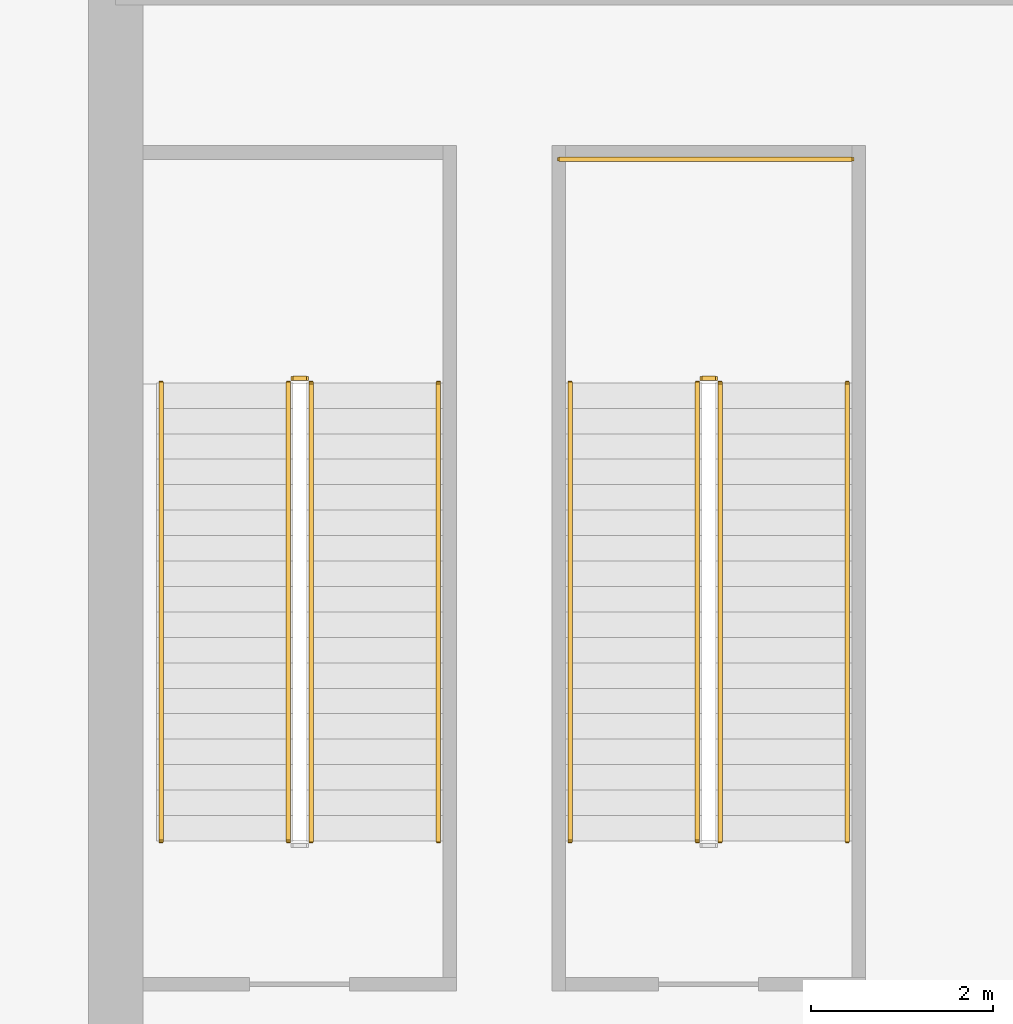
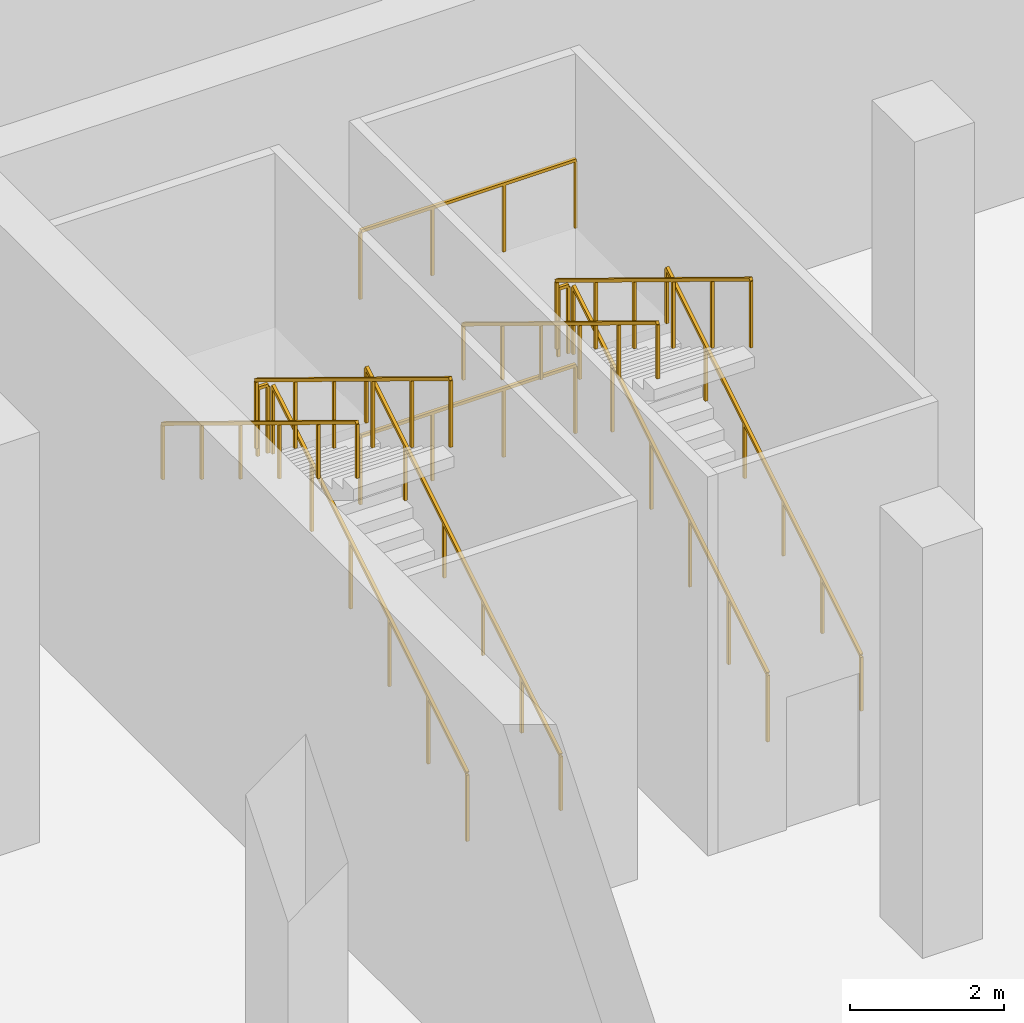
# One storey, part 15 of 16: 12 railings.
"""IFC4 building model written with IfcOpenShell, lengths in metres."""

from ifc_helpers import new_model, si_unit, direction, frame, origin, origin_with_axes, origin_2d, place, context, subcontext, project, spatial, rectangle, extrude, material, type_object, element, save


model = new_model("IFC4")

# Units and contexts
model_context = context("Model", 3, precision=1e-05, world=origin(), true_north=direction((0.0, 1.0)))
body_context = subcontext(model_context, "Body", "Model", "MODEL_VIEW")
ifc_project = project(units=[si_unit("LENGTHUNIT", "METRE"), si_unit("AREAUNIT", "SQUARE_METRE"), si_unit("VOLUMEUNIT", "CUBIC_METRE"), si_unit("PLANEANGLEUNIT", "RADIAN"), si_unit("MASSUNIT", "GRAM", prefix="KILO")], contexts=[model_context])

# Site, building, storey
site_placement = place(None, origin())
site = spatial("IfcSite", under=ifc_project, at=site_placement, CompositionType="ELEMENT")
building_placement = place(site_placement, origin())
building = spatial("IfcBuilding", under=site, at=building_placement, Name="Alderwake Tower", CompositionType="ELEMENT")
storey_placement = place(building_placement, frame((0.0, 0.0, -6.5)))
storey = spatial("IfcBuildingStorey", under=building, at=storey_placement, Name="B1", CompositionType="ELEMENT", Elevation=-6.5)

# Railings
ifc_material_1 = material(Name="Stainless steel guard", Category="steel")
railing_type_1 = type_object("IfcRailingType", Name="Stair guard 1100", PredefinedType="GUARDRAIL", material=ifc_material_1)
railing_1_placement = place(storey_placement, frame((69.14990234375, 100.5, 0.171142578125)))
element("IfcRailing", 1, at=railing_1_placement, inside=storey, type_object=railing_type_1, Name="B1 ST-S3 stair guard 1", PredefinedType="GUARDRAIL", context=body_context, shape_type="SweptSolid", body=[
    extrude(rectangle(XDim=0.048095703125, YDim=0.048095703125, at=origin_2d()), frame((0.0, 0.0, 1.076171875), z_axis=(0.0, 0.853369698388, 0.521306203564), x_axis=(-1.0, 0.0, 0.0)), (0.0, 0.0, 1.0), 5.906005859375),
    extrude(rectangle(XDim=0.0419921875, YDim=0.0419921875, at=origin_2d()), frame((0.0, 0.0, 0.0), z_axis=(0.0, 0.0, 1.0), x_axis=(0.0, 1.0, 0.0)), (0.0, 0.0, 1.0), 1.052001953125),
    extrude(rectangle(XDim=0.0419921875, YDim=0.0419921875, at=origin_2d()), frame((0.0, 1.008056640625, 0.61572265625), z_axis=(0.0, 0.0, 1.0), x_axis=(0.0, 1.0, 0.0)), (0.0, 0.0, 1.0), 1.052001953125),
    extrude(rectangle(XDim=0.0419921875, YDim=0.0419921875, at=origin_2d()), frame((0.0, 2.01611328125, 1.2314453125), z_axis=(0.0, 0.0, 1.0), x_axis=(0.0, 1.0, 0.0)), (0.0, 0.0, 1.0), 1.052001953125),
    extrude(rectangle(XDim=0.0419921875, YDim=0.0419921875, at=origin_2d()), frame((0.0, 3.02392578125, 1.847412109375), z_axis=(0.0, 0.0, 1.0), x_axis=(0.0, 1.0, 0.0)), (0.0, 0.0, 1.0), 1.052001953125),
    extrude(rectangle(XDim=0.0419921875, YDim=0.0419921875, at=origin_2d()), frame((0.0, 4.031982421875, 2.463134765625), z_axis=(0.0, 0.0, 1.0), x_axis=(0.0, 1.0, 0.0)), (0.0, 0.0, 1.0), 1.052001953125),
    extrude(rectangle(XDim=0.0419921875, YDim=0.0419921875, at=origin_2d()), frame((0.0, 5.0400390625, 3.078857421875), z_axis=(0.0, 0.0, 1.0), x_axis=(0.0, 1.0, 0.0)), (0.0, 0.0, 1.0), 1.052001953125),
])
railing_2_placement = place(storey_placement, frame((69.10009765625, 105.590087890625, 3.25)))
element("IfcRailing", 2, at=railing_2_placement, inside=storey, type_object=railing_type_1, Name="B1 ST-S3 stair guard 2", PredefinedType="GUARDRAIL", context=body_context, shape_type="SweptSolid", body=[
    extrude(rectangle(XDim=0.048095703125, YDim=0.048095703125, at=origin_2d()), frame((0.0, 0.0, 1.076171875), z_axis=(-1.0, 0.0, 0.0), x_axis=(0.0, -1.0, 0.0)), (0.0, 0.0, 1.0), 0.150146484375),
    extrude(rectangle(XDim=0.0419921875, YDim=0.0419921875, at=origin_2d()), frame((0.0, 0.0, 0.0), z_axis=(0.0, 0.0, 1.0), x_axis=(-1.0, 0.0, 0.0)), (0.0, 0.0, 1.0), 1.052001953125),
    extrude(rectangle(XDim=0.0419921875, YDim=0.0419921875, at=origin_2d()), frame((-0.150146484375, 0.0, 0.0), z_axis=(0.0, 0.0, 1.0), x_axis=(-1.0, 0.0, 0.0)), (0.0, 0.0, 1.0), 1.052001953125),
])
railing_3_placement = place(storey_placement, frame((68.89990234375, 105.5400390625, 3.421142578125)))
element("IfcRailing", 3, at=railing_3_placement, inside=storey, type_object=railing_type_1, Name="B1 ST-S3 stair guard 3", PredefinedType="GUARDRAIL", context=body_context, shape_type="SweptSolid", body=[
    extrude(rectangle(XDim=0.048095703125, YDim=0.048095703125, at=origin_2d()), frame((0.0, 0.0, 1.076171875), z_axis=(0.0, -0.853369698388, 0.521306203564), x_axis=(1.0, 0.0, 0.0)), (0.0, 0.0, 1.0), 5.906005859375),
    extrude(rectangle(XDim=0.0419921875, YDim=0.0419921875, at=origin_2d()), frame((0.0, 0.0, 0.0), z_axis=(0.0, 0.0, 1.0), x_axis=(0.0, -1.0, 0.0)), (0.0, 0.0, 1.0), 1.052001953125),
    extrude(rectangle(XDim=0.0419921875, YDim=0.0419921875, at=origin_2d()), frame((0.0, -1.008056640625, 0.61572265625), z_axis=(0.0, 0.0, 1.0), x_axis=(0.0, -1.0, 0.0)), (0.0, 0.0, 1.0), 1.052001953125),
    extrude(rectangle(XDim=0.0419921875, YDim=0.0419921875, at=origin_2d()), frame((0.0, -2.01611328125, 1.2314453125), z_axis=(0.0, 0.0, 1.0), x_axis=(0.0, -1.0, 0.0)), (0.0, 0.0, 1.0), 1.052001953125),
    extrude(rectangle(XDim=0.0419921875, YDim=0.0419921875, at=origin_2d()), frame((0.0, -3.02392578125, 1.847412109375), z_axis=(0.0, 0.0, 1.0), x_axis=(0.0, -1.0, 0.0)), (0.0, 0.0, 1.0), 1.052001953125),
    extrude(rectangle(XDim=0.0419921875, YDim=0.0419921875, at=origin_2d()), frame((0.0, -4.031982421875, 2.463134765625), z_axis=(0.0, 0.0, 1.0), x_axis=(0.0, -1.0, 0.0)), (0.0, 0.0, 1.0), 1.052001953125),
    extrude(rectangle(XDim=0.0419921875, YDim=0.0419921875, at=origin_2d()), frame((0.0, -5.0400390625, 3.078857421875), z_axis=(0.0, 0.0, 1.0), x_axis=(0.0, -1.0, 0.0)), (0.0, 0.0, 1.0), 1.052001953125),
])
railing_4_placement = place(storey_placement, frame((73.64990234375, 100.5, 0.171142578125)))
element("IfcRailing", 4, at=railing_4_placement, inside=storey, type_object=railing_type_1, Name="B1 ST-S4 stair guard 1", PredefinedType="GUARDRAIL", context=body_context, shape_type="SweptSolid", body=[
    extrude(rectangle(XDim=0.048095703125, YDim=0.048095703125, at=origin_2d()), frame((0.0, 0.0, 1.076171875), z_axis=(0.0, 0.853369698388, 0.521306203564), x_axis=(-1.0, 0.0, 0.0)), (0.0, 0.0, 1.0), 5.906005859375),
    extrude(rectangle(XDim=0.0419921875, YDim=0.0419921875, at=origin_2d()), frame((0.0, 0.0, 0.0), z_axis=(0.0, 0.0, 1.0), x_axis=(0.0, 1.0, 0.0)), (0.0, 0.0, 1.0), 1.052001953125),
    extrude(rectangle(XDim=0.0419921875, YDim=0.0419921875, at=origin_2d()), frame((0.0, 1.008056640625, 0.61572265625), z_axis=(0.0, 0.0, 1.0), x_axis=(0.0, 1.0, 0.0)), (0.0, 0.0, 1.0), 1.052001953125),
    extrude(rectangle(XDim=0.0419921875, YDim=0.0419921875, at=origin_2d()), frame((0.0, 2.01611328125, 1.2314453125), z_axis=(0.0, 0.0, 1.0), x_axis=(0.0, 1.0, 0.0)), (0.0, 0.0, 1.0), 1.052001953125),
    extrude(rectangle(XDim=0.0419921875, YDim=0.0419921875, at=origin_2d()), frame((0.0, 3.02392578125, 1.847412109375), z_axis=(0.0, 0.0, 1.0), x_axis=(0.0, 1.0, 0.0)), (0.0, 0.0, 1.0), 1.052001953125),
    extrude(rectangle(XDim=0.0419921875, YDim=0.0419921875, at=origin_2d()), frame((0.0, 4.031982421875, 2.463134765625), z_axis=(0.0, 0.0, 1.0), x_axis=(0.0, 1.0, 0.0)), (0.0, 0.0, 1.0), 1.052001953125),
    extrude(rectangle(XDim=0.0419921875, YDim=0.0419921875, at=origin_2d()), frame((0.0, 5.0400390625, 3.078857421875), z_axis=(0.0, 0.0, 1.0), x_axis=(0.0, 1.0, 0.0)), (0.0, 0.0, 1.0), 1.052001953125),
])
railing_5_placement = place(storey_placement, frame((73.60009765625, 105.590087890625, 3.25)))
element("IfcRailing", 5, at=railing_5_placement, inside=storey, type_object=railing_type_1, Name="B1 ST-S4 stair guard 2", PredefinedType="GUARDRAIL", context=body_context, shape_type="SweptSolid", body=[
    extrude(rectangle(XDim=0.048095703125, YDim=0.048095703125, at=origin_2d()), frame((0.0, 0.0, 1.076171875), z_axis=(-1.0, 0.0, 0.0), x_axis=(0.0, -1.0, 0.0)), (0.0, 0.0, 1.0), 0.150146484375),
    extrude(rectangle(XDim=0.0419921875, YDim=0.0419921875, at=origin_2d()), frame((0.0, 0.0, 0.0), z_axis=(0.0, 0.0, 1.0), x_axis=(-1.0, 0.0, 0.0)), (0.0, 0.0, 1.0), 1.052001953125),
    extrude(rectangle(XDim=0.0419921875, YDim=0.0419921875, at=origin_2d()), frame((-0.150146484375, 0.0, 0.0), z_axis=(0.0, 0.0, 1.0), x_axis=(-1.0, 0.0, 0.0)), (0.0, 0.0, 1.0), 1.052001953125),
])
railing_6_placement = place(storey_placement, frame((73.39990234375, 105.5400390625, 3.421142578125)))
element("IfcRailing", 6, at=railing_6_placement, inside=storey, type_object=railing_type_1, Name="B1 ST-S4 stair guard 3", PredefinedType="GUARDRAIL", context=body_context, shape_type="SweptSolid", body=[
    extrude(rectangle(XDim=0.048095703125, YDim=0.048095703125, at=origin_2d()), frame((0.0, 0.0, 1.076171875), z_axis=(0.0, -0.853369698388, 0.521306203564), x_axis=(1.0, 0.0, 0.0)), (0.0, 0.0, 1.0), 5.906005859375),
    extrude(rectangle(XDim=0.0419921875, YDim=0.0419921875, at=origin_2d()), frame((0.0, 0.0, 0.0), z_axis=(0.0, 0.0, 1.0), x_axis=(0.0, -1.0, 0.0)), (0.0, 0.0, 1.0), 1.052001953125),
    extrude(rectangle(XDim=0.0419921875, YDim=0.0419921875, at=origin_2d()), frame((0.0, -1.008056640625, 0.61572265625), z_axis=(0.0, 0.0, 1.0), x_axis=(0.0, -1.0, 0.0)), (0.0, 0.0, 1.0), 1.052001953125),
    extrude(rectangle(XDim=0.0419921875, YDim=0.0419921875, at=origin_2d()), frame((0.0, -2.01611328125, 1.2314453125), z_axis=(0.0, 0.0, 1.0), x_axis=(0.0, -1.0, 0.0)), (0.0, 0.0, 1.0), 1.052001953125),
    extrude(rectangle(XDim=0.0419921875, YDim=0.0419921875, at=origin_2d()), frame((0.0, -3.02392578125, 1.847412109375), z_axis=(0.0, 0.0, 1.0), x_axis=(0.0, -1.0, 0.0)), (0.0, 0.0, 1.0), 1.052001953125),
    extrude(rectangle(XDim=0.0419921875, YDim=0.0419921875, at=origin_2d()), frame((0.0, -4.031982421875, 2.463134765625), z_axis=(0.0, 0.0, 1.0), x_axis=(0.0, -1.0, 0.0)), (0.0, 0.0, 1.0), 1.052001953125),
    extrude(rectangle(XDim=0.0419921875, YDim=0.0419921875, at=origin_2d()), frame((0.0, -5.0400390625, 3.078857421875), z_axis=(0.0, 0.0, 1.0), x_axis=(0.0, -1.0, 0.0)), (0.0, 0.0, 1.0), 1.052001953125),
])
for number, where, name in (
    (7, (71.8798828125, 108.0, 0.0), "B1 Station stair guard 1"),
    (8, (71.8798828125, 108.0, 3.25), "B1 Station stair guard 2"),
):
    element("IfcRailing", number, at=place(storey_placement, frame(where)), inside=storey, type_object=railing_type_1, Name=name, PredefinedType="GUARDRAIL", context=body_context, shape_type="SweptSolid", body=[
        extrude(rectangle(XDim=0.048095703125, YDim=0.048095703125, at=origin_2d()), frame((0.0, 0.0, 1.076171875), z_axis=(1.0, 0.0, 0.0), x_axis=(0.0, 1.0, 0.0)), (0.0, 0.0, 1.0), 3.22021484375),
        extrude(rectangle(XDim=0.0419921875, YDim=0.0419921875, at=origin_2d()), origin_with_axes(), (0.0, 0.0, 1.0), 1.052001953125),
        extrude(rectangle(XDim=0.0419921875, YDim=0.0419921875, at=origin_2d()), frame((1.073486328125, 0.0, 0.0), z_axis=(0.0, 0.0, 1.0), x_axis=(1.0, 0.0, 0.0)), (0.0, 0.0, 1.0), 1.052001953125),
        extrude(rectangle(XDim=0.0419921875, YDim=0.0419921875, at=origin_2d()), frame((2.146728515625, 0.0, 0.0), z_axis=(0.0, 0.0, 1.0), x_axis=(1.0, 0.0, 0.0)), (0.0, 0.0, 1.0), 1.052001953125),
        extrude(rectangle(XDim=0.0419921875, YDim=0.0419921875, at=origin_2d()), frame((3.22021484375, 0.0, 0.0), z_axis=(0.0, 0.0, 1.0), x_axis=(1.0, 0.0, 0.0)), (0.0, 0.0, 1.0), 1.052001953125),
    ])
ifc_material_2 = material(Name="Stainless steel handrail", Category="steel")
railing_type_2 = type_object("IfcRailingType", Name="Stair handrail 900", PredefinedType="HANDRAIL", material=ifc_material_2)
railing_7_placement = place(storey_placement, frame((70.550048828125, 100.5, 0.171142578125)))
element("IfcRailing", 9, at=railing_7_placement, inside=storey, type_object=railing_type_2, Name="B1 ST-S3 stair handrail 1", PredefinedType="HANDRAIL", context=body_context, shape_type="SweptSolid", body=[
    extrude(rectangle(XDim=0.048095703125, YDim=0.048095703125, at=origin_2d()), frame((0.0, 0.0, 0.8759765625), z_axis=(0.0, 0.853369698388, 0.521306203564), x_axis=(-1.0, 0.0, 0.0)), (0.0, 0.0, 1.0), 5.906005859375),
    extrude(rectangle(XDim=0.0419921875, YDim=0.0419921875, at=origin_2d()), frame((0.0, 0.0, 0.0), z_axis=(0.0, 0.0, 1.0), x_axis=(0.0, 1.0, 0.0)), (0.0, 0.0, 1.0), 0.851806640625),
    extrude(rectangle(XDim=0.0419921875, YDim=0.0419921875, at=origin_2d()), frame((0.0, 1.008056640625, 0.61572265625), z_axis=(0.0, 0.0, 1.0), x_axis=(0.0, 1.0, 0.0)), (0.0, 0.0, 1.0), 0.851806640625),
    extrude(rectangle(XDim=0.0419921875, YDim=0.0419921875, at=origin_2d()), frame((0.0, 2.01611328125, 1.2314453125), z_axis=(0.0, 0.0, 1.0), x_axis=(0.0, 1.0, 0.0)), (0.0, 0.0, 1.0), 0.851806640625),
    extrude(rectangle(XDim=0.0419921875, YDim=0.0419921875, at=origin_2d()), frame((0.0, 3.02392578125, 1.847412109375), z_axis=(0.0, 0.0, 1.0), x_axis=(0.0, 1.0, 0.0)), (0.0, 0.0, 1.0), 0.851806640625),
    extrude(rectangle(XDim=0.0419921875, YDim=0.0419921875, at=origin_2d()), frame((0.0, 4.031982421875, 2.463134765625), z_axis=(0.0, 0.0, 1.0), x_axis=(0.0, 1.0, 0.0)), (0.0, 0.0, 1.0), 0.851806640625),
    extrude(rectangle(XDim=0.0419921875, YDim=0.0419921875, at=origin_2d()), frame((0.0, 5.0400390625, 3.078857421875), z_axis=(0.0, 0.0, 1.0), x_axis=(0.0, 1.0, 0.0)), (0.0, 0.0, 1.0), 0.851806640625),
])
railing_8_placement = place(storey_placement, frame((67.5, 105.5400390625, 3.421142578125)))
element("IfcRailing", 10, at=railing_8_placement, inside=storey, type_object=railing_type_2, Name="B1 ST-S3 stair handrail 2", PredefinedType="HANDRAIL", context=body_context, shape_type="SweptSolid", body=[
    extrude(rectangle(XDim=0.048095703125, YDim=0.048095703125, at=origin_2d()), frame((0.0, 0.0, 0.8759765625), z_axis=(0.0, -0.853369698388, 0.521306203564), x_axis=(1.0, 0.0, 0.0)), (0.0, 0.0, 1.0), 5.906005859375),
    extrude(rectangle(XDim=0.0419921875, YDim=0.0419921875, at=origin_2d()), frame((0.0, 0.0, 0.0), z_axis=(0.0, 0.0, 1.0), x_axis=(0.0, -1.0, 0.0)), (0.0, 0.0, 1.0), 0.851806640625),
    extrude(rectangle(XDim=0.0419921875, YDim=0.0419921875, at=origin_2d()), frame((0.0, -1.008056640625, 0.61572265625), z_axis=(0.0, 0.0, 1.0), x_axis=(0.0, -1.0, 0.0)), (0.0, 0.0, 1.0), 0.851806640625),
    extrude(rectangle(XDim=0.0419921875, YDim=0.0419921875, at=origin_2d()), frame((0.0, -2.01611328125, 1.2314453125), z_axis=(0.0, 0.0, 1.0), x_axis=(0.0, -1.0, 0.0)), (0.0, 0.0, 1.0), 0.851806640625),
    extrude(rectangle(XDim=0.0419921875, YDim=0.0419921875, at=origin_2d()), frame((0.0, -3.02392578125, 1.847412109375), z_axis=(0.0, 0.0, 1.0), x_axis=(0.0, -1.0, 0.0)), (0.0, 0.0, 1.0), 0.851806640625),
    extrude(rectangle(XDim=0.0419921875, YDim=0.0419921875, at=origin_2d()), frame((0.0, -4.031982421875, 2.463134765625), z_axis=(0.0, 0.0, 1.0), x_axis=(0.0, -1.0, 0.0)), (0.0, 0.0, 1.0), 0.851806640625),
    extrude(rectangle(XDim=0.0419921875, YDim=0.0419921875, at=origin_2d()), frame((0.0, -5.0400390625, 3.078857421875), z_axis=(0.0, 0.0, 1.0), x_axis=(0.0, -1.0, 0.0)), (0.0, 0.0, 1.0), 0.851806640625),
])
railing_9_placement = place(storey_placement, frame((75.050048828125, 100.5, 0.171142578125)))
element("IfcRailing", 11, at=railing_9_placement, inside=storey, type_object=railing_type_2, Name="B1 ST-S4 stair handrail 1", PredefinedType="HANDRAIL", context=body_context, shape_type="SweptSolid", body=[
    extrude(rectangle(XDim=0.048095703125, YDim=0.048095703125, at=origin_2d()), frame((0.0, 0.0, 0.8759765625), z_axis=(0.0, 0.853369698388, 0.521306203564), x_axis=(-1.0, 0.0, 0.0)), (0.0, 0.0, 1.0), 5.906005859375),
    extrude(rectangle(XDim=0.0419921875, YDim=0.0419921875, at=origin_2d()), frame((0.0, 0.0, 0.0), z_axis=(0.0, 0.0, 1.0), x_axis=(0.0, 1.0, 0.0)), (0.0, 0.0, 1.0), 0.851806640625),
    extrude(rectangle(XDim=0.0419921875, YDim=0.0419921875, at=origin_2d()), frame((0.0, 1.008056640625, 0.61572265625), z_axis=(0.0, 0.0, 1.0), x_axis=(0.0, 1.0, 0.0)), (0.0, 0.0, 1.0), 0.851806640625),
    extrude(rectangle(XDim=0.0419921875, YDim=0.0419921875, at=origin_2d()), frame((0.0, 2.01611328125, 1.2314453125), z_axis=(0.0, 0.0, 1.0), x_axis=(0.0, 1.0, 0.0)), (0.0, 0.0, 1.0), 0.851806640625),
    extrude(rectangle(XDim=0.0419921875, YDim=0.0419921875, at=origin_2d()), frame((0.0, 3.02392578125, 1.847412109375), z_axis=(0.0, 0.0, 1.0), x_axis=(0.0, 1.0, 0.0)), (0.0, 0.0, 1.0), 0.851806640625),
    extrude(rectangle(XDim=0.0419921875, YDim=0.0419921875, at=origin_2d()), frame((0.0, 4.031982421875, 2.463134765625), z_axis=(0.0, 0.0, 1.0), x_axis=(0.0, 1.0, 0.0)), (0.0, 0.0, 1.0), 0.851806640625),
    extrude(rectangle(XDim=0.0419921875, YDim=0.0419921875, at=origin_2d()), frame((0.0, 5.0400390625, 3.078857421875), z_axis=(0.0, 0.0, 1.0), x_axis=(0.0, 1.0, 0.0)), (0.0, 0.0, 1.0), 0.851806640625),
])
railing_10_placement = place(storey_placement, frame((72.0, 105.5400390625, 3.421142578125)))
element("IfcRailing", 12, at=railing_10_placement, inside=storey, type_object=railing_type_2, Name="B1 ST-S4 stair handrail 2", PredefinedType="HANDRAIL", context=body_context, shape_type="SweptSolid", body=[
    extrude(rectangle(XDim=0.048095703125, YDim=0.048095703125, at=origin_2d()), frame((0.0, 0.0, 0.8759765625), z_axis=(0.0, -0.853369698388, 0.521306203564), x_axis=(1.0, 0.0, 0.0)), (0.0, 0.0, 1.0), 5.906005859375),
    extrude(rectangle(XDim=0.0419921875, YDim=0.0419921875, at=origin_2d()), frame((0.0, 0.0, 0.0), z_axis=(0.0, 0.0, 1.0), x_axis=(0.0, -1.0, 0.0)), (0.0, 0.0, 1.0), 0.851806640625),
    extrude(rectangle(XDim=0.0419921875, YDim=0.0419921875, at=origin_2d()), frame((0.0, -1.008056640625, 0.61572265625), z_axis=(0.0, 0.0, 1.0), x_axis=(0.0, -1.0, 0.0)), (0.0, 0.0, 1.0), 0.851806640625),
    extrude(rectangle(XDim=0.0419921875, YDim=0.0419921875, at=origin_2d()), frame((0.0, -2.01611328125, 1.2314453125), z_axis=(0.0, 0.0, 1.0), x_axis=(0.0, -1.0, 0.0)), (0.0, 0.0, 1.0), 0.851806640625),
    extrude(rectangle(XDim=0.0419921875, YDim=0.0419921875, at=origin_2d()), frame((0.0, -3.02392578125, 1.847412109375), z_axis=(0.0, 0.0, 1.0), x_axis=(0.0, -1.0, 0.0)), (0.0, 0.0, 1.0), 0.851806640625),
    extrude(rectangle(XDim=0.0419921875, YDim=0.0419921875, at=origin_2d()), frame((0.0, -4.031982421875, 2.463134765625), z_axis=(0.0, 0.0, 1.0), x_axis=(0.0, -1.0, 0.0)), (0.0, 0.0, 1.0), 0.851806640625),
    extrude(rectangle(XDim=0.0419921875, YDim=0.0419921875, at=origin_2d()), frame((0.0, -5.0400390625, 3.078857421875), z_axis=(0.0, 0.0, 1.0), x_axis=(0.0, -1.0, 0.0)), (0.0, 0.0, 1.0), 0.851806640625),
])

save(model, "model.ifc")
